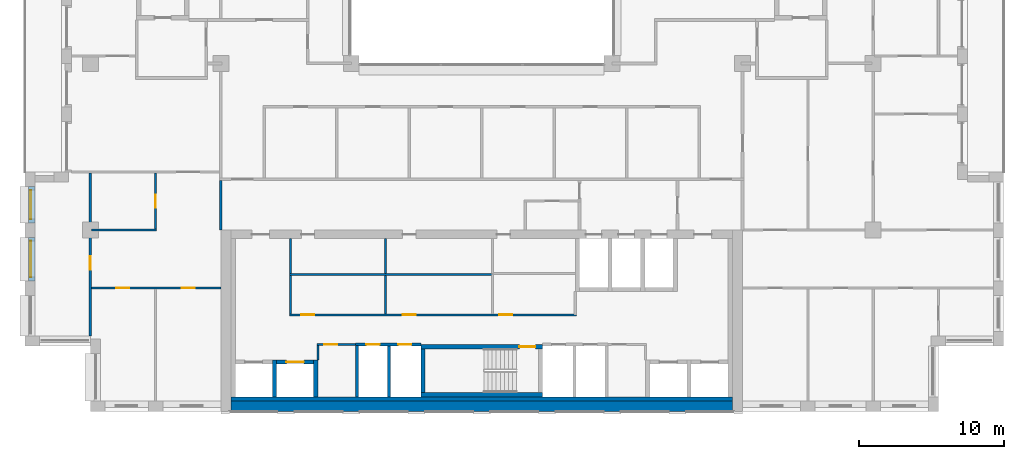
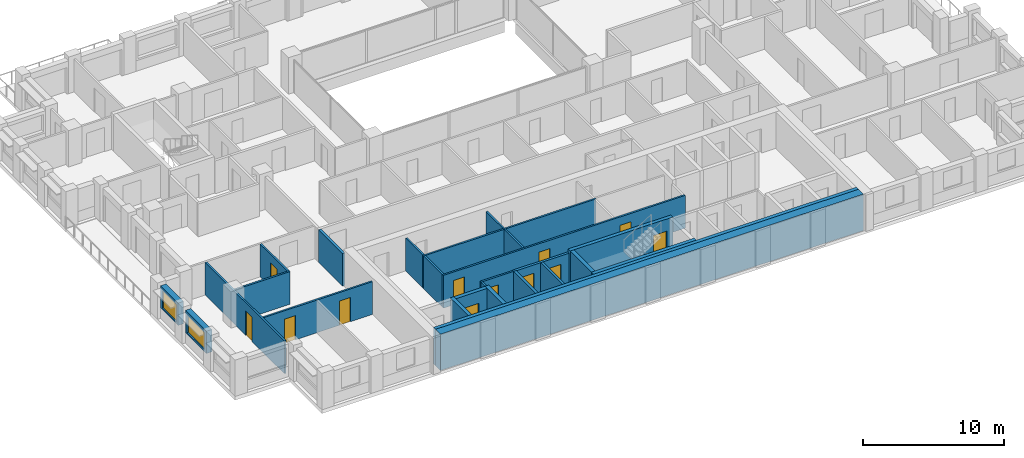
# One storey, part 8 of 16: 26 walls, 12 doors, 2 windows, 14 openings.
"""IFC4 building model written with IfcOpenShell, lengths in metres."""

import ifcopenshell
import ifcopenshell.guid

model = None  # the IFC model being written
_history = None  # IfcOwnerHistory: only IFC2X3 demands one
_inside = {}  # id of a spatial element -> (the spatial element, [elements in it])
_under = {}  # id of a project, library or spatial element -> (it, [spatial elements below it])
_declared = {}  # id of a project -> (the project, [libraries it declares])
_typed = {}  # id of a type object -> (the type object, [elements of that type])
_made_of = {}  # id of a material, layer set ... -> (it, [elements and type objects made of it])


def new_model(schema):
    """Start an empty IFC model of exactly this schema.

    Asked for "IFC4X3", IfcOpenShell would pick the latest addendum, in which some entities
    have other attributes; the version numbers below select the first issue.
    IFC2X3 requires an IfcOwnerHistory on every rooted entity: one is made here for all.
    """
    global model, _history
    if schema == "IFC4X3":
        model = ifcopenshell.file(schema_version=(4, 3, 0, 0))
    else:
        model = ifcopenshell.file(schema=schema)
    _inside.clear()
    _under.clear()
    _declared.clear()
    _typed.clear()
    _made_of.clear()
    _history = None
    if model.schema == "IFC2X3":
        org = make("IfcOrganization", Name="unknown")
        user = make(
            "IfcPersonAndOrganization",
            ThePerson=make("IfcPerson", FamilyName="unknown"),
            TheOrganization=org,
        )
        app = make(
            "IfcApplication",
            ApplicationDeveloper=org,
            Version="unknown",
            ApplicationFullName="unknown",
            ApplicationIdentifier="unknown",
        )
        _history = make(
            "IfcOwnerHistory",
            OwningUser=user,
            OwningApplication=app,
            ChangeAction="ADDED",
            CreationDate=0,
        )
    return model


def make(cls, **values):
    """One entity of the class cls with the attributes given. An attribute that is None is left unset."""
    return model.create_entity(
        cls, **{name: value for name, value in values.items() if value is not None}
    )


def rooted(cls, **values):
    """An entity with a GlobalId (a new one), such as an element, a storey or a relation."""
    return make(cls, GlobalId=ifcopenshell.guid.new(), OwnerHistory=_history, **values)


def si_unit(unit_type, name, prefix=None):
    """IfcSIUnit, for example si_unit("LENGTHUNIT", "METRE", prefix="MILLI")."""
    return make("IfcSIUnit", UnitType=unit_type, Prefix=prefix, Name=name)


def assignment(units):
    """IfcUnitAssignment: the units of a project."""
    return None if units is None else make("IfcUnitAssignment", Units=units)


def point(xyz):
    """IfcCartesianPoint."""
    return None if xyz is None else make("IfcCartesianPoint", Coordinates=xyz)


def direction(xyz):
    """IfcDirection."""
    return None if xyz is None else make("IfcDirection", DirectionRatios=xyz)


def frame(location, z_axis=None, x_axis=None):
    """IfcAxis2Placement3D, a coordinate frame: its origin and axes. An axis left out is left unset."""
    return make(
        "IfcAxis2Placement3D",
        Location=point(location),
        Axis=direction(z_axis),
        RefDirection=direction(x_axis),
    )


def frame_2d(location, x_axis=None):
    """IfcAxis2Placement2D, a coordinate frame in the plane: its origin and x axis."""
    return make(
        "IfcAxis2Placement2D", Location=point(location), RefDirection=direction(x_axis)
    )


def origin():
    """The frame at (0, 0, 0) with its axes left unset."""
    return frame((0.0, 0.0, 0.0))


def place(relative_to, where):
    """IfcLocalPlacement: puts the frame where relative to a parent placement (None: the world)."""
    return make(
        "IfcLocalPlacement", PlacementRelTo=relative_to, RelativePlacement=where
    )


def context(
    kind, dimensions, precision=None, world=None, true_north=None, identifier=None
):
    """IfcGeometricRepresentationContext, for example the 3D "Model" context."""
    return make(
        "IfcGeometricRepresentationContext",
        ContextIdentifier=identifier,
        ContextType=kind,
        CoordinateSpaceDimension=dimensions,
        Precision=precision,
        WorldCoordinateSystem=world,
        TrueNorth=true_north,
    )


def subcontext(parent, identifier, kind, view, scale=None):
    """IfcGeometricRepresentationSubContext, for example "Body" below "Model"."""
    return make(
        "IfcGeometricRepresentationSubContext",
        ContextIdentifier=identifier,
        ContextType=kind,
        ParentContext=parent,
        TargetScale=scale,
        TargetView=view,
    )


def project(units=None, contexts=None):
    """IfcProject with its units and contexts."""
    return rooted(
        "IfcProject",
        Name="project",
        RepresentationContexts=contexts,
        UnitsInContext=assignment(units),
    )


def spatial(cls, under=None, at=None, **own):
    """A site, building, storey or space (cls), placed at a placement, below another one or the project."""
    s = rooted(cls, ObjectPlacement=at, **own)
    if under is not None:
        _under.setdefault(under.id(), (under, []))[1].append(s)
    return s


def profile(cls, at=None, kind="AREA", **sizes):
    """A parametric profile (cls). Its sizes go by their IFC names, for example OverallWidth=200.0."""
    return make(cls, ProfileType=kind, Position=at, **sizes)


def rectangle(**sizes):
    """IfcRectangleProfileDef."""
    return profile("IfcRectangleProfileDef", **sizes)


def extrude(swept, where, along, depth):
    """IfcExtrudedAreaSolid: the profile swept, set in the frame where, extruded along a direction by depth."""
    return make(
        "IfcExtrudedAreaSolid",
        SweptArea=swept,
        Position=where,
        ExtrudedDirection=direction(along),
        Depth=depth,
    )


def shape(context_of_items, identifier, shape_type, items):
    """IfcShapeRepresentation: the items that make up one representation, for example the "Body"."""
    return make(
        "IfcShapeRepresentation",
        ContextOfItems=context_of_items,
        RepresentationIdentifier=identifier,
        RepresentationType=shape_type,
        Items=items,
    )


def material(Name=None, Category=None):
    """IfcMaterial."""
    return make("IfcMaterial", Name=Name, Category=Category)


def layer(
    of_material, thickness, ventilated=None, Name=None, Category=None, Priority=None
):
    """IfcMaterialLayer: one layer of a wall or slab, of a material (None: an air gap)."""
    return make(
        "IfcMaterialLayer",
        Material=of_material,
        LayerThickness=thickness,
        IsVentilated=ventilated,
        Name=Name,
        Category=Category,
        Priority=Priority,
    )


def layer_set(layers, Name=None):
    """IfcMaterialLayerSet."""
    return make("IfcMaterialLayerSet", MaterialLayers=layers, LayerSetName=Name)


def made_of(thing, what):
    """Note that an element or type object is made of a material, layer set ...; save() writes the relation."""
    if what is not None:
        _made_of.setdefault(what.id(), (what, []))[1].append(thing)
    return thing


def type_object(cls, material=None, **own):
    """A type object (cls), such as IfcWallType, which elements share."""
    return made_of(rooted(cls, **own), material)


def element(
    cls,
    number,
    at=None,
    inside=None,
    cuts=None,
    type_object=None,
    material=None,
    context=None,
    identifier="Body",
    shape_type=None,
    held_by="IfcProductDefinitionShape",
    body=None,
    shapes=None,
    **own,
):
    """One element of the class cls, such as IfcWall. Its Tag is "e" and its number.

    at: its placement. inside: the storey or other place that contains it. cuts: it is an
    opening in that element (IfcRelVoidsElement). A single representation is given by context,
    identifier, shape_type and body (its items); several are given by shapes. held_by: the class
    of the entity that holds the representations. save() writes the other relations.
    """
    e = rooted(cls, Tag="e%d" % number, ObjectPlacement=at, **own)
    if body is not None:
        shapes = [shape(context, identifier, shape_type, body)]
    if shapes is not None:
        e.Representation = make(held_by, Representations=shapes)
    if inside is not None:
        _inside.setdefault(inside.id(), (inside, []))[1].append(e)
    if cuts is not None:
        rooted(
            "IfcRelVoidsElement", RelatingBuildingElement=cuts, RelatedOpeningElement=e
        )
    if type_object is not None:
        _typed.setdefault(type_object.id(), (type_object, []))[1].append(e)
    return made_of(e, material)


def fill(opening, filler):
    """IfcRelFillsElement: the door or window that sits in an opening."""
    return rooted(
        "IfcRelFillsElement",
        RelatingOpeningElement=opening,
        RelatedBuildingElement=filler,
    )


def aggregate(whole, parts):
    """IfcRelAggregates: a whole, such as a stair, and the parts it consists of."""
    return rooted("IfcRelAggregates", RelatingObject=whole, RelatedObjects=parts)


def save(model, path):
    """Write the relations noted so far, then the file.

    IfcRelAggregates (storeys below a building ...), IfcRelContainedInSpatialStructure (elements
    in a storey), IfcRelDefinesByType, IfcRelAssociatesMaterial and IfcRelDeclares: one each for
    every whole, place, type object, material and project.
    """
    for whole, parts in _under.values():
        aggregate(whole, parts)
    for where, things in _inside.values():
        rooted(
            "IfcRelContainedInSpatialStructure",
            RelatedElements=things,
            RelatingStructure=where,
        )
    for kind, things in _typed.values():
        rooted("IfcRelDefinesByType", RelatedObjects=things, RelatingType=kind)
    for what, things in _made_of.values():
        rooted("IfcRelAssociatesMaterial", RelatedObjects=things, RelatingMaterial=what)
    for by, libraries in _declared.values():
        rooted("IfcRelDeclares", RelatingContext=by, RelatedDefinitions=libraries)
    model.write(path)


model = new_model("IFC4")

# Units and contexts
model_context = context("Model", 3, precision=1e-05, world=origin(), true_north=direction((0.0, 1.0)))
body_context = subcontext(model_context, "Body", "Model", "MODEL_VIEW")
ifc_project = project(units=[si_unit("LENGTHUNIT", "METRE"), si_unit("AREAUNIT", "SQUARE_METRE"), si_unit("VOLUMEUNIT", "CUBIC_METRE"), si_unit("PLANEANGLEUNIT", "RADIAN"), si_unit("MASSUNIT", "GRAM", prefix="KILO")], contexts=[model_context])

# Site, building, storey
site_placement = place(None, origin())
site = spatial("IfcSite", under=ifc_project, at=site_placement, CompositionType="ELEMENT")
building_placement = place(site_placement, origin())
building = spatial("IfcBuilding", under=site, at=building_placement, Name="Brigalow Station Residences", CompositionType="ELEMENT")
storey_placement = place(building_placement, frame((0.0, 0.0, 179.10009765625)))
storey = spatial("IfcBuildingStorey", under=building, at=storey_placement, Name="L52", CompositionType="ELEMENT", Elevation=179.10009765625)

# Wall, opening, window
ifc_material_1 = material(Name="Clay brick masonry", Category="masonry")
ifc_layer_1 = layer(ifc_material_1, 0.449951171875)
ifc_layer_set_1 = layer_set([ifc_layer_1], Name="BRICK INFILL WALL 450")
wall_type_1 = type_object("IfcWallType", Name="BRICK INFILL WALL 450", PredefinedType="SOLIDWALL", material=ifc_layer_set_1)
wall_1_placement = place(storey_placement, frame((4.97509765625, 15.5, 0.89990234375), z_axis=(0.0, 0.0, 1.0), x_axis=(0.0, -1.0, 0.0)))
wall_1 = element("IfcWall", 1, at=wall_1_placement, inside=storey, type_object=wall_type_1, Name="L52/ewall/W-L52-45", PredefinedType="SOLIDWALL", context=body_context, shape_type="SweptSolid", body=[
    extrude(rectangle(XDim=2.5, YDim=0.449951171875, at=frame_2d((1.25, 0.0))), origin(), (0.0, 0.0, 1.0), 1.929931640625),
])
opening_1_placement = place(wall_1_placement, frame((0.25, 0.0, 0.14990234375)))
opening_1 = element("IfcOpeningElement", 2, at=opening_1_placement, cuts=wall_1, Name="Opening WT-7", PredefinedType="OPENING", context=body_context, shape_type="SweptSolid", body=[
    extrude(rectangle(XDim=2.0, YDim=1.5, at=frame_2d((1.0, 0.75))), frame((0.0, 0.23486328125, 0.0), z_axis=(0.0, -1.0, 0.0), x_axis=(1.0, 0.0, 0.0)), (0.0, 0.0, 1.0), 0.469970703125),
])
ifc_material_2 = material(Name="Anodised aluminium frame with double glazing", Category="aluminium")
window_type_1 = type_object("IfcWindowType", Name="WINDOW 2000x1500", PartitioningType="SINGLE_PANEL", PredefinedType="WINDOW", material=ifc_material_2)
window_1_placement = place(opening_1_placement, origin())
window_1 = element("IfcWindow", 3, at=window_1_placement, inside=storey, type_object=window_type_1, Name="L52/window/W-L52-45", OverallHeight=1.5, OverallWidth=2.0, PartitioningType="SINGLE_PANEL", PredefinedType="WINDOW", context=body_context, shape_type="SweptSolid", body=[
    extrude(rectangle(XDim=2.0, YDim=1.5, at=frame_2d((1.0, 0.75))), frame((0.0, -0.06494140625, 0.0), z_axis=(0.0, -1.0, 0.0), x_axis=(1.0, 0.0, 0.0)), (0.0, 0.0, 1.0), 0.06005859375),
])
fill(opening_1, window_1)

wall_2_placement = place(storey_placement, frame((4.97509765625, 12.0, 0.89990234375), z_axis=(0.0, 0.0, 1.0), x_axis=(0.0, -1.0, 0.0)))
wall_2 = element("IfcWall", 4, at=wall_2_placement, inside=storey, type_object=wall_type_1, Name="L52/ewall/W-L52-46", PredefinedType="SOLIDWALL", context=body_context, shape_type="SweptSolid", body=[
    extrude(rectangle(XDim=3.0, YDim=0.449951171875, at=frame_2d((1.5, 0.0))), origin(), (0.0, 0.0, 1.0), 1.929931640625),
])
opening_2_placement = place(wall_2_placement, frame((0.25, 0.0, 0.14990234375)))
opening_2 = element("IfcOpeningElement", 5, at=opening_2_placement, cuts=wall_2, Name="Opening WT-5", PredefinedType="OPENING", context=body_context, shape_type="SweptSolid", body=[
    extrude(rectangle(XDim=2.5, YDim=1.5, at=frame_2d((1.25, 0.75))), frame((0.0, 0.23486328125, 0.0), z_axis=(0.0, -1.0, 0.0), x_axis=(1.0, 0.0, 0.0)), (0.0, 0.0, 1.0), 0.469970703125),
])
ifc_material_3 = material(Name="Anodised aluminium frame with double glazing", Category="aluminium")
window_type_2 = type_object("IfcWindowType", Name="WINDOW 2500x1500", PartitioningType="SINGLE_PANEL", PredefinedType="WINDOW", material=ifc_material_3)
window_2_placement = place(opening_2_placement, origin())
window_2 = element("IfcWindow", 6, at=window_2_placement, inside=storey, type_object=window_type_2, Name="L52/window/W-L52-46", OverallHeight=1.5, OverallWidth=2.5, PartitioningType="SINGLE_PANEL", PredefinedType="WINDOW", context=body_context, shape_type="SweptSolid", body=[
    extrude(rectangle(XDim=2.5, YDim=1.5, at=frame_2d((1.25, 0.75))), frame((0.0, -0.06494140625, 0.0), z_axis=(0.0, -1.0, 0.0), x_axis=(1.0, 0.0, 0.0)), (0.0, 0.0, 1.0), 0.06005859375),
])
fill(opening_2, window_2)

# Wall
ifc_material_4 = material(Name="Concrete C65", Category="concrete")
ifc_layer_2 = layer(ifc_material_4, 0.300048828125)
ifc_layer_set_2 = layer_set([ifc_layer_2], Name="CORE SHEAR WALL 300 C65")
wall_type_2 = type_object("IfcWallType", Name="CORE SHEAR WALL 300 C65", PredefinedType="SHEAR", material=ifc_layer_set_2)
wall_3_placement = place(storey_placement, frame((18.699951171875, 0.85009765625, 0.0), z_axis=(0.0, 0.0, 1.0), x_axis=(1.0, 0.0, 0.0)))
element("IfcWall", 7, at=wall_3_placement, inside=storey, type_object=wall_type_2, Name="CORE WALL LIN-S L52", PredefinedType="SHEAR", context=body_context, shape_type="SweptSolid", body=[
    extrude(rectangle(XDim=34.60009765625, YDim=0.300048828125, at=frame_2d((17.300048828125, 0.0))), origin(), (0.0, 0.0, 1.0), 3.14990234375),
])

# Wall, opening, door
wall_4_placement = place(storey_placement, frame((21.85009765625, 3.39990234375, 0.0), z_axis=(0.0, 0.0, 1.0), x_axis=(1.0, 0.0, 0.0)))
wall_4 = element("IfcWall", 8, at=wall_4_placement, inside=storey, type_object=wall_type_2, Name="CORE WALL SH-C2-N L52", PredefinedType="SHEAR", context=body_context, shape_type="SweptSolid", body=[
    extrude(rectangle(XDim=2.5498046875, YDim=0.300048828125, at=frame_2d((1.27490234375, 0.0))), origin(), (0.0, 0.0, 1.0), 3.14990234375),
])
opening_3_placement = place(wall_4_placement, frame((0.675048828125, 0.0, 0.0)))
opening_3 = element("IfcOpeningElement", 9, at=opening_3_placement, cuts=wall_4, Name="Opening LD-LB2", PredefinedType="OPENING", context=body_context, shape_type="SweptSolid", body=[
    extrude(rectangle(XDim=1.199951171875, YDim=2.10009765625, at=frame_2d((0.60009765625, 1.050048828125))), frame((0.0, 0.16015625, 0.0), z_axis=(0.0, -1.0, 0.0), x_axis=(1.0, 0.0, 0.0)), (0.0, 0.0, 1.0), 0.320068359375),
])
ifc_material_5 = material(Name="Stainless steel sliding door leaves", Category="steel")
door_type_1 = type_object("IfcDoorType", Name="LIFT LANDING DOOR 1200 x 2100", OperationType="DOUBLE_DOOR_SLIDING", PredefinedType="DOOR", material=ifc_material_5)
door_1_placement = place(opening_3_placement, origin())
door_1 = element("IfcDoor", 10, at=door_1_placement, inside=storey, type_object=door_type_1, Name="LANDING DOOR LB2", OperationType="DOUBLE_DOOR_SLIDING", OverallHeight=2.10009765625, OverallWidth=1.199951171875, PredefinedType="DOOR", context=body_context, shape_type="SweptSolid", body=[
    extrude(rectangle(XDim=1.199951171875, YDim=2.10009765625, at=frame_2d((0.60009765625, 1.050048828125))), frame((0.0, 0.02490234375, 0.0), z_axis=(0.0, -1.0, 0.0), x_axis=(1.0, 0.0, 0.0)), (0.0, 0.0, 1.0), 0.050048828125),
])
fill(opening_3, door_1)

# Walls
for number, where, z_axis, x_axis, name in (
    (11, (21.699951171875, 1.0, 0.0), (0.0, 0.0, 1.0), (0.0, 1.0, 0.0), "CORE WALL SH-C2-W L52"),
    (12, (24.550048828125, 1.0, 0.0), (0.0, 0.0, 1.0), (0.0, 1.0, 0.0), "CORE WALL SH-C2-E L52"),
):
    element("IfcWall", number, at=place(storey_placement, frame(where, z_axis=z_axis, x_axis=x_axis)), inside=storey, type_object=wall_type_2, Name=name, PredefinedType="SHEAR", context=body_context, shape_type="SweptSolid", body=[
        extrude(rectangle(XDim=2.550048828125, YDim=0.300048828125, at=frame_2d((1.27490234375, 0.0))), origin(), (0.0, 0.0, 1.0), 3.14990234375),
    ])
wall_5_placement = place(storey_placement, frame((31.800048828125, 1.14990234375, 0.0), z_axis=(0.0, 0.0, 1.0), x_axis=(1.0, 0.0, 0.0)))
element("IfcWall", 13, at=wall_5_placement, inside=storey, type_object=wall_type_2, Name="CORE WALL ST-S2-S L52", PredefinedType="SHEAR", context=body_context, shape_type="SweptSolid", body=[
    extrude(rectangle(XDim=8.39990234375, YDim=0.300048828125, at=frame_2d((4.199951171875, 0.0))), origin(), (0.0, 0.0, 1.0), 3.14990234375),
])

# Wall, opening, door
wall_6_placement = place(storey_placement, frame((31.800048828125, 4.449951171875, 0.0), z_axis=(0.0, 0.0, 1.0), x_axis=(1.0, 0.0, 0.0)))
wall_6 = element("IfcWall", 14, at=wall_6_placement, inside=storey, type_object=wall_type_2, Name="CORE WALL ST-S2-N L52", PredefinedType="SHEAR", context=body_context, shape_type="SweptSolid", body=[
    extrude(rectangle(XDim=8.39990234375, YDim=0.300048828125, at=frame_2d((4.199951171875, 0.0))), origin(), (0.0, 0.0, 1.0), 3.14990234375),
])
opening_4_placement = place(wall_6_placement, frame((6.800048828125, 0.0, 0.0)))
opening_4 = element("IfcOpeningElement", 15, at=opening_4_placement, cuts=wall_6, Name="Opening D-5001", PredefinedType="OPENING", context=body_context, shape_type="SweptSolid", body=[
    extrude(rectangle(XDim=1.10009765625, YDim=2.10009765625, at=frame_2d((0.550048828125, 1.050048828125))), frame((0.0, 0.16015625, 0.0), z_axis=(0.0, -1.0, 0.0), x_axis=(1.0, 0.0, 0.0)), (0.0, 0.0, 1.0), 0.320068359375),
])
ifc_material_6 = material(Name="Steel fire door leaf in steel frame", Category="steel")
door_type_2 = type_object("IfcDoorType", Name="STAIR DOOR 1100 x 2100 FD60S", OperationType="SINGLE_SWING_LEFT", PredefinedType="DOOR", material=ifc_material_6)
door_2_placement = place(opening_4_placement, frame((1.10009765625, 0.0, 0.0), z_axis=(0.0, 0.0, 1.0), x_axis=(-1.0, 0.0, 0.0)))
door_2 = element("IfcDoor", 16, at=door_2_placement, inside=storey, type_object=door_type_2, Name="D-5001", OperationType="SINGLE_SWING_LEFT", OverallHeight=2.10009765625, OverallWidth=1.10009765625, PredefinedType="DOOR", context=body_context, shape_type="SweptSolid", body=[
    extrude(rectangle(XDim=1.10009765625, YDim=2.10009765625, at=frame_2d((0.550048828125, 1.050048828125))), frame((0.0, 0.02490234375, 0.0), z_axis=(0.0, -1.0, 0.0), x_axis=(1.0, 0.0, 0.0)), (0.0, 0.0, 1.0), 0.050048828125),
])
fill(opening_4, door_2)

# Walls
wall_7_placement = place(storey_placement, frame((31.949951171875, 1.300048828125, 0.0), z_axis=(0.0, 0.0, 1.0), x_axis=(0.0, 1.0, 0.0)))
element("IfcWall", 17, at=wall_7_placement, inside=storey, type_object=wall_type_2, Name="CORE WALL ST-S2-W L52", PredefinedType="SHEAR", context=body_context, shape_type="SweptSolid", body=[
    extrude(rectangle(XDim=3.0, YDim=0.300048828125, at=frame_2d((1.5, 0.0))), origin(), (0.0, 0.0, 1.0), 3.14990234375),
])
ifc_material_7 = material(Name="Concrete C65", Category="concrete")
ifc_layer_3 = layer(ifc_material_7, 0.699951171875)
ifc_layer_set_3 = layer_set([ifc_layer_3], Name="CORE SHEAR WALL 700 C65")
wall_type_3 = type_object("IfcWallType", Name="CORE SHEAR WALL 700 C65", PredefinedType="SHEAR", material=ifc_layer_set_3)
wall_8_placement = place(storey_placement, frame((18.699951171875, 0.35009765625, 0.0), z_axis=(0.0, 0.0, 1.0), x_axis=(1.0, 0.0, 0.0)))
element("IfcWall", 18, at=wall_8_placement, inside=storey, type_object=wall_type_3, Name="CORE WALL OUT-S L52", PredefinedType="SHEAR", context=body_context, shape_type="SweptSolid", body=[
    extrude(rectangle(XDim=34.60009765625, YDim=0.699951171875, at=frame_2d((17.300048828125, 0.0))), origin(), (0.0, 0.0, 1.0), 3.14990234375),
])

# Wall, openings, doors
ifc_material_8 = material(Name="Concrete blockwork", Category="masonry")
ifc_layer_4 = layer(ifc_material_8, 0.199951171875)
ifc_layer_set_4 = layer_set([ifc_layer_4], Name="FIRE RATED CORE PARTITION 200")
wall_type_4 = type_object("IfcWallType", Name="FIRE RATED CORE PARTITION 200", PredefinedType="PARTITIONING", material=ifc_layer_set_4)
wall_9_placement = place(storey_placement, frame((27.300048828125, 4.60009765625, 0.0), z_axis=(0.0, 0.0, 1.0), x_axis=(1.0, 0.0, 0.0)))
wall_9 = element("IfcWall", 19, at=wall_9_placement, inside=storey, type_object=wall_type_4, Name="PW-5017", PredefinedType="PARTITIONING", context=body_context, shape_type="SweptSolid", body=[
    extrude(rectangle(XDim=4.5, YDim=0.199951171875, at=frame_2d((2.25, 0.0))), origin(), (0.0, 0.0, 1.0), 2.829833984375),
])
opening_5_placement = place(wall_9_placement, frame((0.75, 0.0, 0.0)))
opening_5 = element("IfcOpeningElement", 20, at=opening_5_placement, cuts=wall_9, Name="Opening D-5007", PredefinedType="OPENING", context=body_context, shape_type="SweptSolid", body=[
    extrude(rectangle(XDim=0.89990234375, YDim=2.10009765625, at=frame_2d((0.449951171875, 1.050048828125))), frame((0.0, 0.10986328125, 0.0), z_axis=(0.0, -1.0, 0.0), x_axis=(1.0, 0.0, 0.0)), (0.0, 0.0, 1.0), 0.219970703125),
])
opening_6_placement = place(wall_9_placement, frame((2.949951171875, 0.0, 0.0)))
opening_6 = element("IfcOpeningElement", 21, at=opening_6_placement, cuts=wall_9, Name="Opening D-5008", PredefinedType="OPENING", context=body_context, shape_type="SweptSolid", body=[
    extrude(rectangle(XDim=0.89990234375, YDim=2.10009765625, at=frame_2d((0.449951171875, 1.050048828125))), frame((0.0, 0.10986328125, 0.0), z_axis=(0.0, -1.0, 0.0), x_axis=(1.0, 0.0, 0.0)), (0.0, 0.0, 1.0), 0.219970703125),
])
ifc_material_9 = material(Name="Steel fire door leaf in steel frame", Category="steel")
door_type_3 = type_object("IfcDoorType", Name="RISER ACCESS DOOR 900 x 2100 FD120", OperationType="SINGLE_SWING_LEFT", PredefinedType="DOOR", material=ifc_material_9)
door_3_placement = place(opening_5_placement, frame((0.89990234375, 0.0, 0.0), z_axis=(0.0, 0.0, 1.0), x_axis=(-1.0, 0.0, 0.0)))
door_3 = element("IfcDoor", 22, at=door_3_placement, inside=storey, type_object=door_type_3, Name="D-5007", OperationType="SINGLE_SWING_RIGHT", OverallHeight=2.10009765625, OverallWidth=0.89990234375, PredefinedType="DOOR", context=body_context, shape_type="SweptSolid", body=[
    extrude(rectangle(XDim=0.89990234375, YDim=2.10009765625, at=frame_2d((0.449951171875, 1.050048828125))), frame((0.0, 0.02490234375, 0.0), z_axis=(0.0, -1.0, 0.0), x_axis=(1.0, 0.0, 0.0)), (0.0, 0.0, 1.0), 0.050048828125),
])
fill(opening_5, door_3)
door_4_placement = place(opening_6_placement, frame((0.89990234375, 0.0, 0.0), z_axis=(0.0, 0.0, 1.0), x_axis=(-1.0, 0.0, 0.0)))
door_4 = element("IfcDoor", 23, at=door_4_placement, inside=storey, type_object=door_type_3, Name="D-5008", OperationType="SINGLE_SWING_RIGHT", OverallHeight=2.10009765625, OverallWidth=0.89990234375, PredefinedType="DOOR", context=body_context, shape_type="SweptSolid", body=[
    extrude(rectangle(XDim=0.89990234375, YDim=2.10009765625, at=frame_2d((0.449951171875, 1.050048828125))), frame((0.0, 0.02490234375, 0.0), z_axis=(0.0, -1.0, 0.0), x_axis=(1.0, 0.0, 0.0)), (0.0, 0.0, 1.0), 0.050048828125),
])
fill(opening_6, door_4)

# Walls
wall_10_placement = place(storey_placement, frame((27.39990234375, 1.0, 0.0), z_axis=(0.0, 0.0, 1.0), x_axis=(0.0, 1.0, 0.0)))
element("IfcWall", 24, at=wall_10_placement, inside=storey, type_object=wall_type_4, Name="PW-5027", PredefinedType="PARTITIONING", context=body_context, shape_type="SweptSolid", body=[
    extrude(rectangle(XDim=3.52490234375, YDim=0.199951171875, at=frame_2d((1.762451171875, 0.0))), origin(), (0.0, 0.0, 1.0), 2.829833984375),
])
wall_11_placement = place(storey_placement, frame((29.60009765625, 1.0, 0.0), z_axis=(0.0, 0.0, 1.0), x_axis=(0.0, 1.0, 0.0)))
element("IfcWall", 25, at=wall_11_placement, inside=storey, type_object=wall_type_4, Name="PW-5006", PredefinedType="PARTITIONING", context=body_context, shape_type="SweptSolid", body=[
    extrude(rectangle(XDim=3.5, YDim=0.199951171875, at=frame_2d((1.75, 0.0))), origin(), (0.0, 0.0, 1.0), 2.829833984375),
])
wall_12_placement = place(storey_placement, frame((18.0, 12.5, 0.0), z_axis=(0.0, 0.0, 1.0), x_axis=(0.0, 1.0, 0.0)))
element("IfcWall", 26, at=wall_12_placement, inside=storey, type_object=wall_type_4, Name="PW-5013", PredefinedType="PARTITIONING", context=body_context, shape_type="SweptSolid", body=[
    extrude(rectangle(XDim=3.39990234375, YDim=0.199951171875, at=frame_2d((1.699951171875, 0.0))), origin(), (0.0, 0.0, 1.0), 2.829833984375),
])

# Wall, openings, doors
ifc_material_10 = material(Name="Plasterboard on steel stud partition", Category="steel")
ifc_layer_5 = layer(ifc_material_10, 0.14990234375)
ifc_layer_set_5 = layer_set([ifc_layer_5], Name="FLAT PARTITION 150")
wall_type_5 = type_object("IfcWallType", Name="FLAT PARTITION 150", PredefinedType="PARTITIONING", material=ifc_layer_set_5)
wall_13_placement = place(storey_placement, frame((9.074951171875, 8.5, 0.0), z_axis=(0.0, 0.0, 1.0), x_axis=(1.0, 0.0, 0.0)))
wall_13 = element("IfcWall", 27, at=wall_13_placement, inside=storey, type_object=wall_type_5, Name="PW-3F20", PredefinedType="PARTITIONING", context=body_context, shape_type="SweptSolid", body=[
    extrude(rectangle(XDim=8.925048828125, YDim=0.14990234375, at=frame_2d((4.46240234375, 0.0))), origin(), (0.0, 0.0, 1.0), 2.829833984375),
])
opening_7_placement = place(wall_13_placement, frame((1.72509765625, 0.0, 0.0)))
opening_7 = element("IfcOpeningElement", 28, at=opening_7_placement, cuts=wall_13, Name="Opening D-3F13", PredefinedType="OPENING", context=body_context, shape_type="SweptSolid", body=[
    extrude(rectangle(XDim=0.89990234375, YDim=2.10009765625, at=frame_2d((0.449951171875, 1.050048828125))), frame((0.0, 0.0849609375, 0.0), z_axis=(0.0, -1.0, 0.0), x_axis=(1.0, 0.0, 0.0)), (0.0, 0.0, 1.0), 0.169921875),
])
opening_8_placement = place(wall_13_placement, frame((6.22509765625, 0.0, 0.0)))
opening_8 = element("IfcOpeningElement", 29, at=opening_8_placement, cuts=wall_13, Name="Opening D-3F14", PredefinedType="OPENING", context=body_context, shape_type="SweptSolid", body=[
    extrude(rectangle(XDim=0.89990234375, YDim=2.10009765625, at=frame_2d((0.449951171875, 1.050048828125))), frame((0.0, 0.0849609375, 0.0), z_axis=(0.0, -1.0, 0.0), x_axis=(1.0, 0.0, 0.0)), (0.0, 0.0, 1.0), 0.169921875),
])
ifc_material_11 = material(Name="Solid-core timber door leaf", Category="wood")
door_type_4 = type_object("IfcDoorType", Name="INTERNAL DOOR 900 x 2100", OperationType="SINGLE_SWING_LEFT", PredefinedType="DOOR", material=ifc_material_11)
door_5_placement = place(opening_7_placement, frame((0.89990234375, 0.0, 0.0), z_axis=(0.0, 0.0, 1.0), x_axis=(-1.0, 0.0, 0.0)))
door_5 = element("IfcDoor", 30, at=door_5_placement, inside=storey, type_object=door_type_4, Name="D-3F13", OperationType="SINGLE_SWING_RIGHT", OverallHeight=2.10009765625, OverallWidth=0.89990234375, PredefinedType="DOOR", context=body_context, shape_type="SweptSolid", body=[
    extrude(rectangle(XDim=0.89990234375, YDim=2.10009765625, at=frame_2d((0.449951171875, 1.050048828125))), frame((0.0, 0.02490234375, 0.0), z_axis=(0.0, -1.0, 0.0), x_axis=(1.0, 0.0, 0.0)), (0.0, 0.0, 1.0), 0.050048828125),
])
fill(opening_7, door_5)
door_6_placement = place(opening_8_placement, frame((0.89990234375, 0.0, 0.0), z_axis=(0.0, 0.0, 1.0), x_axis=(-1.0, 0.0, 0.0)))
door_6 = element("IfcDoor", 31, at=door_6_placement, inside=storey, type_object=door_type_4, Name="D-3F14", OperationType="SINGLE_SWING_RIGHT", OverallHeight=2.10009765625, OverallWidth=0.89990234375, PredefinedType="DOOR", context=body_context, shape_type="SweptSolid", body=[
    extrude(rectangle(XDim=0.89990234375, YDim=2.10009765625, at=frame_2d((0.449951171875, 1.050048828125))), frame((0.0, 0.02490234375, 0.0), z_axis=(0.0, -1.0, 0.0), x_axis=(1.0, 0.0, 0.0)), (0.0, 0.0, 1.0), 0.050048828125),
])
fill(opening_8, door_6)

# Wall
wall_14_placement = place(storey_placement, frame((9.074951171875, 12.5, 0.0), z_axis=(0.0, 0.0, 1.0), x_axis=(1.0, 0.0, 0.0)))
element("IfcWall", 32, at=wall_14_placement, inside=storey, type_object=wall_type_5, Name="PW-3F22", PredefinedType="PARTITIONING", context=body_context, shape_type="SweptSolid", body=[
    extrude(rectangle(XDim=4.5, YDim=0.14990234375, at=frame_2d((2.25, 0.0))), origin(), (0.0, 0.0, 1.0), 2.829833984375),
])

# Wall, opening, door
wall_15_placement = place(storey_placement, frame((9.0, 5.199951171875, 0.0), z_axis=(0.0, 0.0, 1.0), x_axis=(0.0, 1.0, 0.0)))
wall_15 = element("IfcWall", 33, at=wall_15_placement, inside=storey, type_object=wall_type_5, Name="PW-3F36", PredefinedType="PARTITIONING", context=body_context, shape_type="SweptSolid", body=[
    extrude(rectangle(XDim=11.22509765625, YDim=0.14990234375, at=frame_2d((5.612548828125, 0.0))), origin(), (0.0, 0.0, 1.0), 2.829833984375),
])
opening_9_placement = place(wall_15_placement, frame((4.574951171875, 0.0, 0.0)))
opening_9 = element("IfcOpeningElement", 34, at=opening_9_placement, cuts=wall_15, Name="Opening D-3F15", PredefinedType="OPENING", context=body_context, shape_type="SweptSolid", body=[
    extrude(rectangle(XDim=0.89990234375, YDim=2.10009765625, at=frame_2d((0.449951171875, 1.050048828125))), frame((0.0, 0.0849609375, 0.0), z_axis=(0.0, -1.0, 0.0), x_axis=(1.0, 0.0, 0.0)), (0.0, 0.0, 1.0), 0.169921875),
])
door_7_placement = place(opening_9_placement, origin())
door_7 = element("IfcDoor", 35, at=door_7_placement, inside=storey, type_object=door_type_4, Name="D-3F15", OperationType="SINGLE_SWING_LEFT", OverallHeight=2.10009765625, OverallWidth=0.89990234375, PredefinedType="DOOR", context=body_context, shape_type="SweptSolid", body=[
    extrude(rectangle(XDim=0.89990234375, YDim=2.10009765625, at=frame_2d((0.449951171875, 1.050048828125))), frame((0.0, 0.02490234375, 0.0), z_axis=(0.0, -1.0, 0.0), x_axis=(1.0, 0.0, 0.0)), (0.0, 0.0, 1.0), 0.050048828125),
])
fill(opening_9, door_7)

wall_16_placement = place(storey_placement, frame((13.5, 12.574951171875, 0.0), z_axis=(0.0, 0.0, 1.0), x_axis=(0.0, 1.0, 0.0)))
wall_16 = element("IfcWall", 36, at=wall_16_placement, inside=storey, type_object=wall_type_5, Name="PW-3F41", PredefinedType="PARTITIONING", context=body_context, shape_type="SweptSolid", body=[
    extrude(rectangle(XDim=3.85009765625, YDim=0.14990234375, at=frame_2d((1.925048828125, 0.0))), origin(), (0.0, 0.0, 1.0), 2.829833984375),
])
opening_10_placement = place(wall_16_placement, frame((1.47509765625, 0.0, 0.0)))
opening_10 = element("IfcOpeningElement", 37, at=opening_10_placement, cuts=wall_16, Name="Opening D-3F16", PredefinedType="OPENING", context=body_context, shape_type="SweptSolid", body=[
    extrude(rectangle(XDim=0.89990234375, YDim=2.10009765625, at=frame_2d((0.449951171875, 1.050048828125))), frame((0.0, 0.0849609375, 0.0), z_axis=(0.0, -1.0, 0.0), x_axis=(1.0, 0.0, 0.0)), (0.0, 0.0, 1.0), 0.169921875),
])
door_8_placement = place(opening_10_placement, origin())
door_8 = element("IfcDoor", 38, at=door_8_placement, inside=storey, type_object=door_type_4, Name="D-3F16", OperationType="SINGLE_SWING_LEFT", OverallHeight=2.10009765625, OverallWidth=0.89990234375, PredefinedType="DOOR", context=body_context, shape_type="SweptSolid", body=[
    extrude(rectangle(XDim=0.89990234375, YDim=2.10009765625, at=frame_2d((0.449951171875, 1.050048828125))), frame((0.0, 0.02490234375, 0.0), z_axis=(0.0, -1.0, 0.0), x_axis=(1.0, 0.0, 0.0)), (0.0, 0.0, 1.0), 0.050048828125),
])
fill(opening_10, door_8)

ifc_material_12 = material(Name="Plasterboard on steel studs", Category="steel")
ifc_layer_6 = layer(ifc_material_12, 0.14990234375)
ifc_layer_set_6 = layer_set([ifc_layer_6], Name="SERVICE ROOM PARTITION 150")
wall_type_6 = type_object("IfcWallType", Name="SERVICE ROOM PARTITION 150", PredefinedType="PARTITIONING", material=ifc_layer_set_6)
wall_17_placement = place(storey_placement, frame((24.625, 4.60009765625, 0.0), z_axis=(0.0, 0.0, 1.0), x_axis=(1.0, 0.0, 0.0)))
wall_17 = element("IfcWall", 39, at=wall_17_placement, inside=storey, type_object=wall_type_6, Name="PW-5155", PredefinedType="PARTITIONING", context=body_context, shape_type="SweptSolid", body=[
    extrude(rectangle(XDim=2.675048828125, YDim=0.14990234375, at=frame_2d((1.33740234375, 0.0))), origin(), (0.0, 0.0, 1.0), 2.829833984375),
])
opening_11_placement = place(wall_17_placement, frame((0.52490234375, 0.0, 0.0)))
opening_11 = element("IfcOpeningElement", 40, at=opening_11_placement, cuts=wall_17, Name="Opening D-5087", PredefinedType="OPENING", context=body_context, shape_type="SweptSolid", body=[
    extrude(rectangle(XDim=0.89990234375, YDim=2.10009765625, at=frame_2d((0.449951171875, 1.050048828125))), frame((0.0, 0.0849609375, 0.0), z_axis=(0.0, -1.0, 0.0), x_axis=(1.0, 0.0, 0.0)), (0.0, 0.0, 1.0), 0.169921875),
])
ifc_material_13 = material(Name="Steel door leaf in steel frame", Category="steel")
door_type_5 = type_object("IfcDoorType", Name="SERVICE ROOM DOOR 900 x 2100 FD60", OperationType="SINGLE_SWING_LEFT", PredefinedType="DOOR", material=ifc_material_13)
door_9_placement = place(opening_11_placement, frame((0.89990234375, 0.0, 0.0), z_axis=(0.0, 0.0, 1.0), x_axis=(-1.0, 0.0, 0.0)))
door_9 = element("IfcDoor", 41, at=door_9_placement, inside=storey, type_object=door_type_5, Name="D-5087", OperationType="SINGLE_SWING_RIGHT", OverallHeight=2.10009765625, OverallWidth=0.89990234375, PredefinedType="DOOR", context=body_context, shape_type="SweptSolid", body=[
    extrude(rectangle(XDim=0.89990234375, YDim=2.10009765625, at=frame_2d((0.449951171875, 1.050048828125))), frame((0.0, 0.02490234375, 0.0), z_axis=(0.0, -1.0, 0.0), x_axis=(1.0, 0.0, 0.0)), (0.0, 0.0, 1.0), 0.050048828125),
])
fill(opening_11, door_9)

# Wall, openings, doors
wall_18_placement = place(storey_placement, frame((22.72509765625, 6.64990234375, 0.0), z_axis=(0.0, 0.0, 1.0), x_axis=(1.0, 0.0, 0.0)))
wall_18 = element("IfcWall", 42, at=wall_18_placement, inside=storey, type_object=wall_type_6, Name="PW-5195", PredefinedType="PARTITIONING", context=body_context, shape_type="SweptSolid", body=[
    extrude(rectangle(XDim=19.7998046875, YDim=0.14990234375, at=frame_2d((9.89990234375, 0.0))), origin(), (0.0, 0.0, 1.0), 2.829833984375),
])
opening_12_placement = place(wall_18_placement, frame((0.824951171875, 0.0, 0.0)))
opening_12 = element("IfcOpeningElement", 43, at=opening_12_placement, cuts=wall_18, Name="Opening D-5110", PredefinedType="OPENING", context=body_context, shape_type="SweptSolid", body=[
    extrude(rectangle(XDim=0.89990234375, YDim=2.10009765625, at=frame_2d((0.449951171875, 1.050048828125))), frame((0.0, 0.0849609375, 0.0), z_axis=(0.0, -1.0, 0.0), x_axis=(1.0, 0.0, 0.0)), (0.0, 0.0, 1.0), 0.169921875),
])
opening_13_placement = place(wall_18_placement, frame((7.824951171875, 0.0, 0.0)))
opening_13 = element("IfcOpeningElement", 44, at=opening_13_placement, cuts=wall_18, Name="Opening D-5123", PredefinedType="OPENING", context=body_context, shape_type="SweptSolid", body=[
    extrude(rectangle(XDim=0.89990234375, YDim=2.10009765625, at=frame_2d((0.449951171875, 1.050048828125))), frame((0.0, 0.0849609375, 0.0), z_axis=(0.0, -1.0, 0.0), x_axis=(1.0, 0.0, 0.0)), (0.0, 0.0, 1.0), 0.169921875),
])
opening_14_placement = place(wall_18_placement, frame((14.47509765625, 0.0, 0.0)))
opening_14 = element("IfcOpeningElement", 45, at=opening_14_placement, cuts=wall_18, Name="Opening D-5114", PredefinedType="OPENING", context=body_context, shape_type="SweptSolid", body=[
    extrude(rectangle(XDim=0.89990234375, YDim=2.10009765625, at=frame_2d((0.449951171875, 1.050048828125))), frame((0.0, 0.0849609375, 0.0), z_axis=(0.0, -1.0, 0.0), x_axis=(1.0, 0.0, 0.0)), (0.0, 0.0, 1.0), 0.169921875),
])
door_10_placement = place(opening_12_placement, origin())
door_10 = element("IfcDoor", 46, at=door_10_placement, inside=storey, type_object=door_type_5, Name="D-5110", OperationType="SINGLE_SWING_LEFT", OverallHeight=2.10009765625, OverallWidth=0.89990234375, PredefinedType="DOOR", context=body_context, shape_type="SweptSolid", body=[
    extrude(rectangle(XDim=0.89990234375, YDim=2.10009765625, at=frame_2d((0.449951171875, 1.050048828125))), frame((0.0, 0.02490234375, 0.0), z_axis=(0.0, -1.0, 0.0), x_axis=(1.0, 0.0, 0.0)), (0.0, 0.0, 1.0), 0.050048828125),
])
fill(opening_12, door_10)
door_11_placement = place(opening_13_placement, origin())
door_11 = element("IfcDoor", 47, at=door_11_placement, inside=storey, type_object=door_type_5, Name="D-5123", OperationType="SINGLE_SWING_LEFT", OverallHeight=2.10009765625, OverallWidth=0.89990234375, PredefinedType="DOOR", context=body_context, shape_type="SweptSolid", body=[
    extrude(rectangle(XDim=0.89990234375, YDim=2.10009765625, at=frame_2d((0.449951171875, 1.050048828125))), frame((0.0, 0.02490234375, 0.0), z_axis=(0.0, -1.0, 0.0), x_axis=(1.0, 0.0, 0.0)), (0.0, 0.0, 1.0), 0.050048828125),
])
fill(opening_13, door_11)
door_12_placement = place(opening_14_placement, origin())
door_12 = element("IfcDoor", 48, at=door_12_placement, inside=storey, type_object=door_type_5, Name="D-5114", OperationType="SINGLE_SWING_LEFT", OverallHeight=2.10009765625, OverallWidth=0.89990234375, PredefinedType="DOOR", context=body_context, shape_type="SweptSolid", body=[
    extrude(rectangle(XDim=0.89990234375, YDim=2.10009765625, at=frame_2d((0.449951171875, 1.050048828125))), frame((0.0, 0.02490234375, 0.0), z_axis=(0.0, -1.0, 0.0), x_axis=(1.0, 0.0, 0.0)), (0.0, 0.0, 1.0), 0.050048828125),
])
fill(opening_14, door_12)

# Walls
wall_19_placement = place(storey_placement, frame((22.72509765625, 9.429931640625, 0.0), z_axis=(0.0, 0.0, 1.0), x_axis=(1.0, 0.0, 0.0)))
element("IfcWall", 49, at=wall_19_placement, inside=storey, type_object=wall_type_6, Name="PW-5236", PredefinedType="PARTITIONING", context=body_context, shape_type="SweptSolid", body=[
    extrude(rectangle(XDim=14.099853515625, YDim=0.14990234375, at=frame_2d((7.0498046875, 0.0))), origin(), (0.0, 0.0, 1.0), 2.829833984375),
])
wall_20_placement = place(storey_placement, frame((24.699951171875, 3.550048828125, 0.0), z_axis=(0.0, 0.0, 1.0), x_axis=(0.0, 1.0, 0.0)))
element("IfcWall", 50, at=wall_20_placement, inside=storey, type_object=wall_type_6, Name="PW-5157", PredefinedType="PARTITIONING", context=body_context, shape_type="SweptSolid", body=[
    extrude(rectangle(XDim=0.974853515625, YDim=0.14990234375, at=frame_2d((0.4873046875, 0.0))), origin(), (0.0, 0.0, 1.0), 2.829833984375),
])
for number, where, z_axis, x_axis, name in (
    (51, (22.800048828125, 6.72509765625, 0.0), (0.0, 0.0, 1.0), (0.0, 1.0, 0.0), "PW-5237"),
    (52, (29.3701171875, 6.72509765625, 0.0), (0.0, 0.0, 1.0), (0.0, 1.0, 0.0), "PW-5238"),
):
    element("IfcWall", number, at=place(storey_placement, frame(where, z_axis=z_axis, x_axis=x_axis)), inside=storey, type_object=wall_type_6, Name=name, PredefinedType="PARTITIONING", context=body_context, shape_type="SweptSolid", body=[
        extrude(rectangle(XDim=2.6298828125, YDim=0.14990234375, at=frame_2d((1.31494140625, 0.0))), origin(), (0.0, 0.0, 1.0), 2.829833984375),
    ])
for number, where, z_axis, x_axis, name in (
    (53, (22.800048828125, 9.5048828125, 0.0), (0.0, 0.0, 1.0), (0.0, 1.0, 0.0), "PW-5240"),
    (54, (29.3701171875, 9.5048828125, 0.0), (0.0, 0.0, 1.0), (0.0, 1.0, 0.0), "PW-5241"),
):
    element("IfcWall", number, at=place(storey_placement, frame(where, z_axis=z_axis, x_axis=x_axis)), inside=storey, type_object=wall_type_6, Name=name, PredefinedType="PARTITIONING", context=body_context, shape_type="SweptSolid", body=[
        extrude(rectangle(XDim=2.39501953125, YDim=0.14990234375, at=frame_2d((1.197509765625, 0.0))), origin(), (0.0, 0.0, 1.0), 2.829833984375),
    ])

save(model, "model.ifc")
